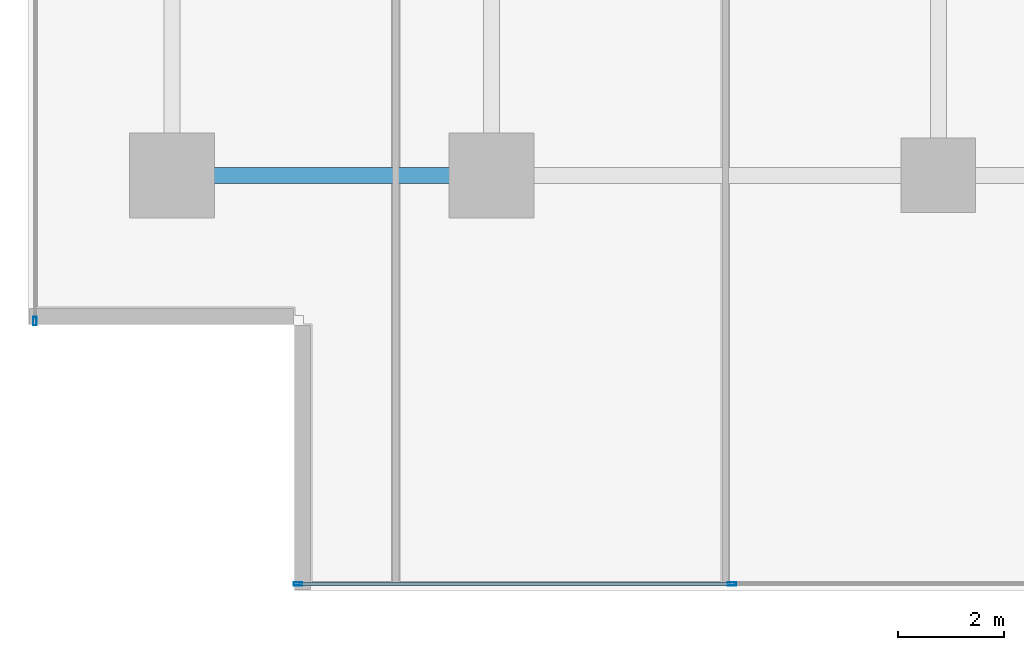
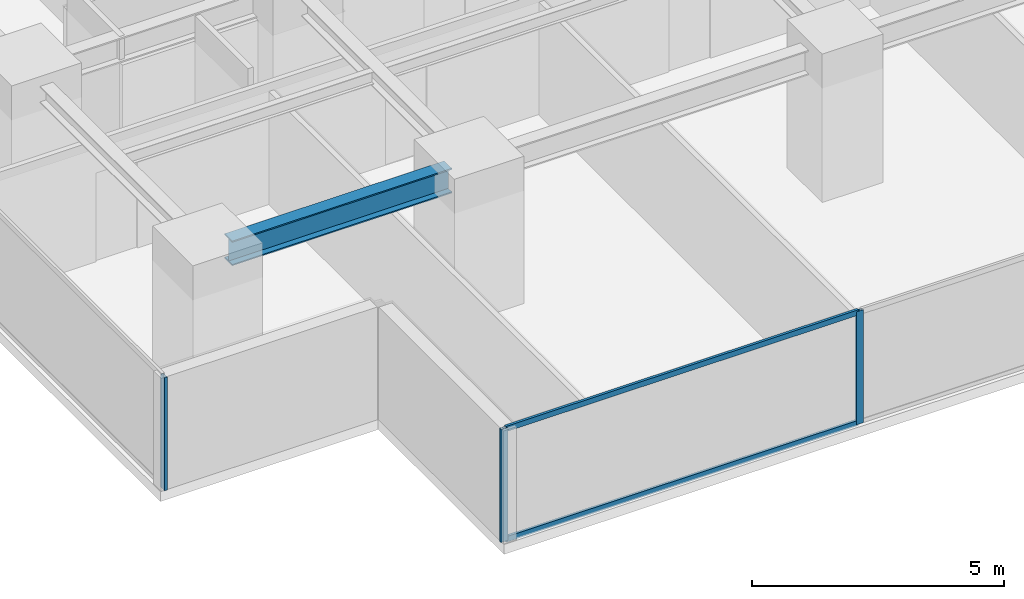
# One storey, part 2 of 37: 5 members, 1 beam, 2 elements without a shape of their own.
"""IFC4 building model written with IfcOpenShell, lengths in metres."""

from ifc_helpers import new_model, si_unit, direction, frame, origin, origin_2d, place, context, subcontext, project, spatial, hollow_rectangle, i_section, extrude, source, transform, mapped, material, layer, layer_set, material_profile, profile_set, type_object, element, aggregate, save


model = new_model("IFC4")

# Units and contexts
model_context = context("Model", 3, precision=1e-05, world=origin(), true_north=direction((0.0, 1.0)))
body_context = subcontext(model_context, "Body", "Model", "MODEL_VIEW")
ifc_project = project(units=[si_unit("LENGTHUNIT", "METRE"), si_unit("AREAUNIT", "SQUARE_METRE"), si_unit("VOLUMEUNIT", "CUBIC_METRE"), si_unit("PLANEANGLEUNIT", "RADIAN"), si_unit("MASSUNIT", "GRAM", prefix="KILO")], contexts=[model_context])

# Site, building, storey
site_placement = place(None, origin())
site = spatial("IfcSite", under=ifc_project, at=site_placement, CompositionType="ELEMENT")
building_placement = place(site_placement, origin())
building = spatial("IfcBuilding", under=site, at=building_placement, Name="Sumidabori Civic Tower", CompositionType="ELEMENT")
storey_placement = place(building_placement, frame((0.0, 0.0, 81.199951171875)))
storey = spatial("IfcBuildingStorey", under=building, at=storey_placement, Name="L20", CompositionType="ELEMENT", Elevation=81.199951171875)

# Beam
ifc_material_1 = material(Name="Steel SN490", Category="steel")
ifc_material_profile_1 = material_profile(ifc_material_1, i_section(OverallWidth=0.300048828125, OverallDepth=0.60009765625, WebThickness=0.015380859375, FlangeThickness=0.030029296875, at=origin_2d()), Name="HE 600 B")
ifc_profile_set_1 = profile_set([ifc_material_profile_1], Name="Steel SN490")
beam_type = type_object("IfcBeamType", Name="BM-GIRD-600", PredefinedType="BEAM", material=ifc_profile_set_1)
shared_shape_1 = source(origin(), body_context, "Body", "SweptSolid", [
    extrude(i_section(OverallWidth=0.300048828125, OverallDepth=0.60009765625, WebThickness=0.015380859375, FlangeThickness=0.030029296875, at=origin_2d()), origin(), (0.0, 0.0, 1.0), 5.0400390625),
])
beam_placement = place(storey_placement, frame((-22.320068359375, -18.0, 3.06005859375), z_axis=(1.0, 0.0, 0.0), x_axis=(0.0, 1.0, 0.0)))
element("IfcBeam", 1, at=beam_placement, inside=storey, type_object=beam_type, Name="Primary Girder L20 GX-01", PredefinedType="BEAM", context=body_context, shape_type="MappedRepresentation", body=[
    mapped(shared_shape_1, transform((0.0, 0.0, 0.0), x_axis=(1.0, 0.0, 0.0), y_axis=(0.0, 1.0, 0.0), z_axis=(0.0, 0.0, 1.0), scale=1.0)),
])

# Curtain wall, members
ifc_material_2 = material(Name="Anodised Bronze Aluminium AW-6063-T6", Category="aluminium")
ifc_layer = layer(ifc_material_2, 0.179931640625, Name="Anodised Bronze Aluminium AW-6063-T6")
ifc_layer_set = layer_set([ifc_layer], Name="Anodised Bronze Aluminium AW-6063-T6")
curtain_wall_type = type_object("IfcCurtainWallType", Name="CW-SYS-3", PredefinedType="NOTDEFINED", material=ifc_layer_set)
curtain_wall_1_placement = place(storey_placement, origin())
curtain_wall_1 = element("IfcCurtainWall", 2, at=curtain_wall_1_placement, inside=storey, type_object=curtain_wall_type, Name="Curtain Wall CW:L20:R01", PredefinedType="NOTDEFINED")
ifc_material_profile_2 = material_profile(ifc_material_2, hollow_rectangle(XDim=0.06494140625, YDim=0.159912109375, WallThickness=0.0048828125, at=origin_2d()), Name="ALU MULLION 160x65")
ifc_profile_set_2 = profile_set([ifc_material_profile_2], Name="Anodised Bronze Aluminium AW-6063-T6")
member_type_1 = type_object("IfcMemberType", Name="CW-MUL-160", PredefinedType="MULLION", material=ifc_profile_set_2)
shared_shape_2 = source(origin(), body_context, "Body", "SweptSolid", [
    extrude(hollow_rectangle(XDim=0.06494140625, YDim=0.159912109375, WallThickness=0.0048828125, at=origin_2d()), origin(), (0.0, 0.0, 1.0), 2.739990234375),
])
member_1_placement = place(storey_placement, frame((-20.4375, -25.679931640625, 0.0), z_axis=(0.0, 0.0, 1.0), x_axis=(0.0, 1.0, 0.0)))
member_1 = element("IfcMember", 3, at=member_1_placement, type_object=member_type_1, Name="CW-3 mullion 1", PredefinedType="MULLION", context=body_context, shape_type="MappedRepresentation", body=[
    mapped(shared_shape_2, transform((0.0, 0.0, 0.0), x_axis=(1.0, 0.0, 0.0), y_axis=(0.0, 1.0, 0.0), z_axis=(0.0, 0.0, 1.0), scale=1.0)),
])
member_2_placement = place(storey_placement, frame((-12.281982421875, -25.679931640625, 0.0), z_axis=(0.0, 0.0, 1.0), x_axis=(0.0, 1.0, 0.0)))
member_2 = element("IfcMember", 4, at=member_2_placement, type_object=member_type_1, Name="CW-3 mullion 2", PredefinedType="MULLION", context=body_context, shape_type="MappedRepresentation", body=[
    mapped(shared_shape_2, transform((0.0, 0.0, 0.0), x_axis=(1.0, 0.0, 0.0), y_axis=(0.0, 1.0, 0.0), z_axis=(0.0, 0.0, 1.0), scale=1.0)),
])

# Curtain wall, member
curtain_wall_2_placement = place(storey_placement, origin())
curtain_wall_2 = element("IfcCurtainWall", 5, at=curtain_wall_2_placement, inside=storey, type_object=curtain_wall_type, Name="Curtain Wall CW:L20:R10", PredefinedType="NOTDEFINED")
member_3_placement = place(storey_placement, frame((-25.3798828125, -20.737548828125, 0.0), z_axis=(0.0, 0.0, 1.0), x_axis=(1.0, 0.0, 0.0)))
member_3 = element("IfcMember", 6, at=member_3_placement, type_object=member_type_1, Name="CW-3 mullion 6", PredefinedType="MULLION", context=body_context, shape_type="MappedRepresentation", body=[
    mapped(shared_shape_2, transform((0.0, 0.0, 0.0), x_axis=(1.0, 0.0, 0.0), y_axis=(0.0, 1.0, 0.0), z_axis=(0.0, 0.0, 1.0), scale=1.0)),
])
aggregate(curtain_wall_2, [member_3])

# Member
ifc_material_profile_3 = material_profile(ifc_material_2, hollow_rectangle(XDim=0.06005859375, YDim=0.1298828125, WallThickness=0.0048828125, at=origin_2d()), Name="ALU TRANSOM 130x60")
ifc_profile_set_3 = profile_set([ifc_material_profile_3], Name="Anodised Bronze Aluminium AW-6063-T6")
member_type_2 = type_object("IfcMemberType", Name="CW-TRN-130", PredefinedType="USERDEFINED", material=ifc_profile_set_3)
shared_shape_3 = source(origin(), body_context, "Body", "SweptSolid", [
    extrude(hollow_rectangle(XDim=0.06005859375, YDim=0.1298828125, WallThickness=0.0048828125, at=origin_2d()), origin(), (0.0, 0.0, 1.0), 8.090576171875),
])
member_4_placement = place(storey_placement, frame((-20.405029296875, -25.679931640625, 0.030029296875), z_axis=(1.0, 0.0, 0.0), x_axis=(0.0, 1.0, 0.0)))
member_4 = element("IfcMember", 7, at=member_4_placement, type_object=member_type_2, Name="CW-3 transom 1.1", ObjectType="TRANSOM", PredefinedType="USERDEFINED", context=body_context, shape_type="MappedRepresentation", body=[
    mapped(shared_shape_3, transform((0.0, 0.0, 0.0), x_axis=(1.0, 0.0, 0.0), y_axis=(0.0, 1.0, 0.0), z_axis=(0.0, 0.0, 1.0), scale=1.0)),
])

member_5_placement = place(storey_placement, frame((-20.405029296875, -25.679931640625, 2.7099609375), z_axis=(1.0, 0.0, 0.0), x_axis=(0.0, 1.0, 0.0)))
member_5 = element("IfcMember", 8, at=member_5_placement, type_object=member_type_2, Name="CW-3 transom 1.2", ObjectType="TRANSOM", PredefinedType="USERDEFINED", context=body_context, shape_type="MappedRepresentation", body=[
    mapped(shared_shape_3, transform((0.0, 0.0, 0.0), x_axis=(1.0, 0.0, 0.0), y_axis=(0.0, 1.0, 0.0), z_axis=(0.0, 0.0, 1.0), scale=1.0)),
])

aggregate(curtain_wall_1, [member_1, member_2, member_4, member_5])

save(model, "model.ifc")
